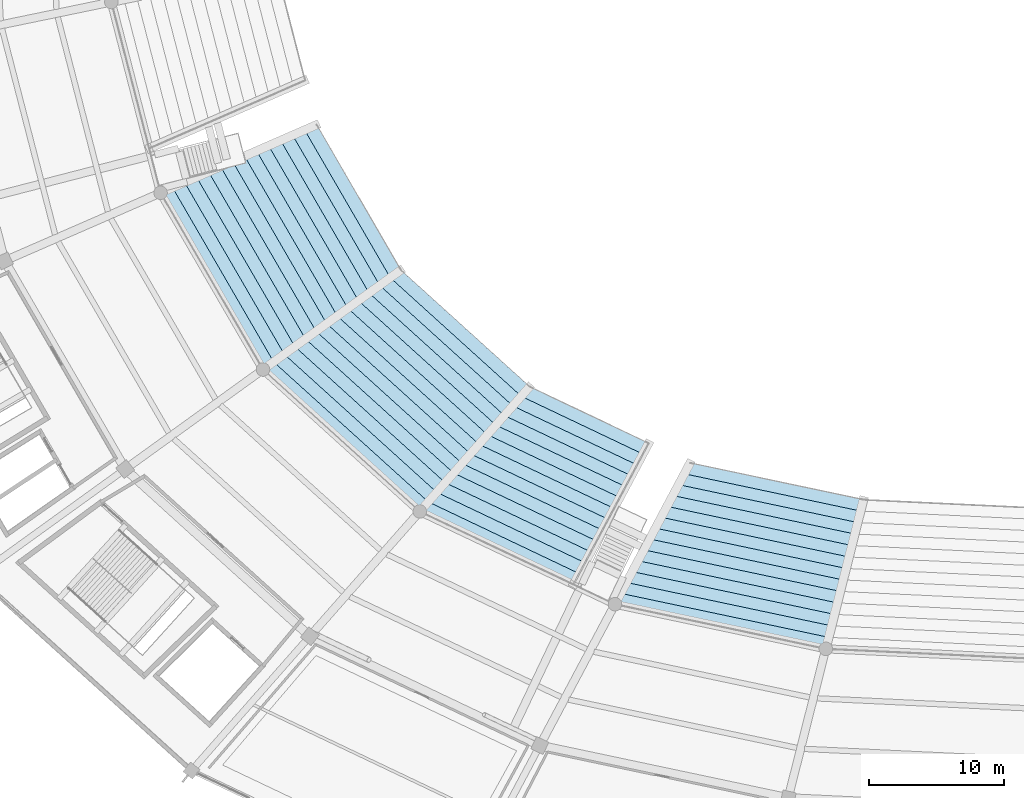
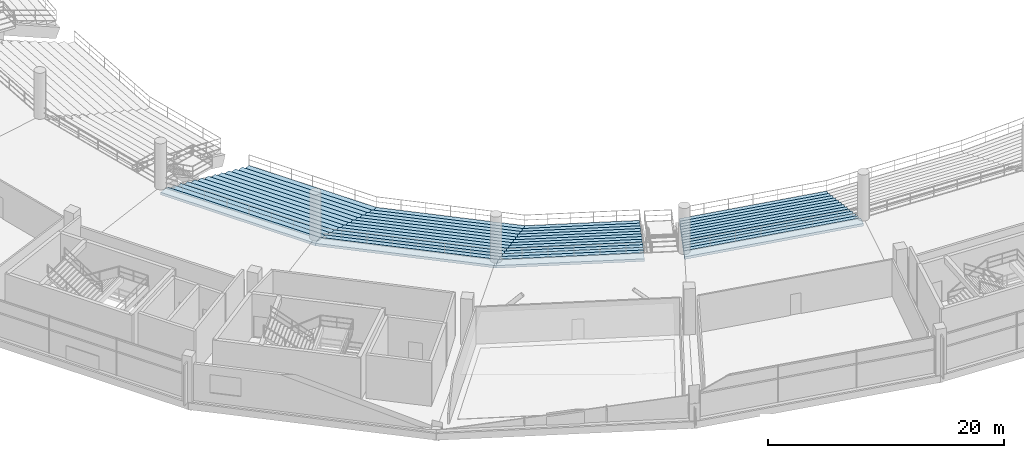
# One storey, part 109 of 156: 4 slabs.
"""IFC4 building model written with IfcOpenShell, lengths in metres."""

from ifc_helpers import new_model, si_unit, direction, frame, origin, place, context, subcontext, project, spatial, polygons, material, layer, layer_set, type_object, element, save


model = new_model("IFC4")

# Units and contexts
model_context = context("Model", 3, precision=1e-05, world=origin(), true_north=direction((0.0, 1.0)))
body_context = subcontext(model_context, "Body", "Model", "MODEL_VIEW")
ifc_project = project(units=[si_unit("LENGTHUNIT", "METRE"), si_unit("AREAUNIT", "SQUARE_METRE"), si_unit("VOLUMEUNIT", "CUBIC_METRE"), si_unit("PLANEANGLEUNIT", "RADIAN"), si_unit("MASSUNIT", "GRAM", prefix="KILO")], contexts=[model_context])

# Site, building, storey
site_placement = place(None, origin())
site = spatial("IfcSite", under=ifc_project, at=site_placement, CompositionType="ELEMENT")
building_placement = place(site_placement, origin())
building = spatial("IfcBuilding", under=site, at=building_placement, Name="Kazemori Nagisa Stadium", CompositionType="ELEMENT")
storey_placement = place(building_placement, frame((0.0, 0.0, 5.780029296875)))
storey = spatial("IfcBuildingStorey", under=building, at=storey_placement, Name="L01", CompositionType="ELEMENT", Elevation=5.780029296875)

# Slabs
ifc_material = material(Name="Concrete C36/45 (Fc36)", Category="concrete")
ifc_layer_1 = layer(ifc_material, 4.93994140625, Name="Concrete C36/45 (Fc36)", Category="concrete")
ifc_layer_set_1 = layer_set([ifc_layer_1], Name="Concrete C36/45 (Fc36)")
slab_type_1 = type_object("IfcSlabType", Name="SeatingTier_ST-LOW-13", PredefinedType="USERDEFINED", material=ifc_layer_set_1)
slab_1_placement = place(storey_placement, frame((0.0, 0.0, -5.780029296875)))
element("IfcSlab", 1, at=slab_1_placement, inside=storey, type_object=slab_type_1, Name="Stand lower tier bay 17", ObjectType="SEATING TIER", PredefinedType="USERDEFINED", context=body_context, shape_type="Tessellation", body=[
    polygons([(75.90283203125, 67.99951171875, 0.239990234375), (75.90283203125, 67.99951171875, 0.860107421875), (75.117919921875, 67.432861328125, 0.860107421875), (75.117919921875, 67.432861328125, 1.22021484375), (74.3330078125, 66.8662109375, 1.22021484375), (74.3330078125, 66.8662109375, 1.580322265625), (73.548095703125, 66.299560546875, 1.580322265625), (73.548095703125, 66.299560546875, 1.9404296875), (72.762939453125, 65.732666015625, 1.9404296875), (72.762939453125, 65.732666015625, 2.300537109375), (71.97802734375, 65.166015625, 2.300537109375), (71.97802734375, 65.166015625, 2.66064453125), (71.193115234375, 64.599365234375, 2.66064453125), (71.193115234375, 64.599365234375, 3.020751953125), (70.408203125, 64.03271484375, 3.020751953125), (70.408203125, 64.03271484375, 3.380859375), (69.623291015625, 63.466064453125, 3.380859375), (69.623291015625, 63.466064453125, 3.740966796875), (68.83837890625, 62.8994140625, 3.740966796875), (68.83837890625, 62.8994140625, 4.10107421875), (68.05322265625, 62.33251953125, 4.10107421875), (68.05322265625, 62.33251953125, 4.461181640625), (67.268310546875, 61.765869140625, 4.461181640625), (67.268310546875, 61.765869140625, 4.8212890625), (66.4833984375, 61.19921875, 4.8212890625), (66.4833984375, 61.19921875, 5.181396484375), (65.698486328125, 60.632568359375, 5.181396484375), (65.698486328125, 60.632568359375, 4.92138671875), (66.4833984375, 61.19921875, 4.561279296875), (67.268310546875, 61.765869140625, 4.201171875), (68.05322265625, 62.33251953125, 3.841064453125), (68.83837890625, 62.8994140625, 3.48095703125), (69.623291015625, 63.466064453125, 3.120849609375), (70.408203125, 64.03271484375, 2.7607421875), (71.193115234375, 64.599365234375, 2.400634765625), (71.97802734375, 65.166015625, 2.04052734375), (72.762939453125, 65.732666015625, 1.680419921875), (73.548095703125, 66.299560546875, 1.3203125), (74.3330078125, 66.8662109375, 0.960205078125), (75.117919921875, 67.432861328125, 0.60009765625), (69.6689453125, 78.750244140625, 0.239990234375), (69.6689453125, 78.750244140625, 0.860107421875), (68.780029296875, 78.36279296875, 0.860107421875), (68.780029296875, 78.36279296875, 1.22021484375), (67.891357421875, 77.975341796875, 1.22021484375), (67.891357421875, 77.975341796875, 1.580322265625), (67.00244140625, 77.587890625, 1.580322265625), (67.00244140625, 77.587890625, 1.9404296875), (66.113525390625, 77.2001953125, 1.9404296875), (66.113525390625, 77.2001953125, 2.300537109375), (65.224853515625, 76.812744140625, 2.300537109375), (65.224853515625, 76.812744140625, 2.66064453125), (64.3359375, 76.42529296875, 2.66064453125), (64.3359375, 76.42529296875, 3.020751953125), (63.447021484375, 76.037841796875, 3.020751953125), (63.447021484375, 76.037841796875, 3.380859375), (62.55810546875, 75.650390625, 3.380859375), (62.55810546875, 75.650390625, 3.740966796875), (61.66943359375, 75.262939453125, 3.740966796875), (61.66943359375, 75.262939453125, 4.10107421875), (60.780517578125, 74.875244140625, 4.10107421875), (60.780517578125, 74.875244140625, 4.461181640625), (59.8916015625, 74.48779296875, 4.461181640625), (59.8916015625, 74.48779296875, 4.8212890625), (59.0029296875, 74.100341796875, 4.8212890625), (59.0029296875, 74.100341796875, 5.181396484375), (58.114013671875, 73.712890625, 5.181396484375), (58.114013671875, 73.712890625, 4.92138671875), (59.0029296875, 74.100341796875, 4.561279296875), (59.8916015625, 74.48779296875, 4.201171875), (60.780517578125, 74.875244140625, 3.841064453125), (61.66943359375, 75.262939453125, 3.48095703125), (62.55810546875, 75.650390625, 3.120849609375), (63.447021484375, 76.037841796875, 2.7607421875), (64.3359375, 76.42529296875, 2.400634765625), (65.224853515625, 76.812744140625, 2.04052734375), (66.113525390625, 77.2001953125, 1.680419921875), (67.00244140625, 77.587890625, 1.3203125), (67.891357421875, 77.975341796875, 0.960205078125), (68.780029296875, 78.36279296875, 0.60009765625)], [[[1, 41, 42]], [[1, 42, 2]], [[2, 42, 43]], [[2, 43, 3]], [[3, 43, 44]], [[3, 44, 4]], [[4, 44, 45]], [[4, 45, 5]], [[5, 45, 46]], [[5, 46, 6]], [[6, 46, 47]], [[6, 47, 7]], [[7, 47, 48]], [[7, 48, 8]], [[8, 48, 49]], [[8, 49, 9]], [[9, 49, 50]], [[9, 50, 10]], [[10, 50, 51]], [[10, 51, 11]], [[11, 51, 52]], [[11, 52, 12]], [[12, 52, 53]], [[12, 53, 13]], [[13, 53, 54]], [[13, 54, 14]], [[14, 54, 55]], [[14, 55, 15]], [[15, 55, 56]], [[15, 56, 16]], [[16, 56, 57]], [[16, 57, 17]], [[17, 57, 58]], [[17, 58, 18]], [[18, 58, 59]], [[18, 59, 19]], [[19, 59, 60]], [[19, 60, 20]], [[20, 60, 61]], [[20, 61, 21]], [[21, 61, 62]], [[21, 62, 22]], [[22, 62, 63]], [[22, 63, 23]], [[23, 63, 64]], [[23, 64, 24]], [[24, 64, 65]], [[24, 65, 25]], [[25, 65, 66]], [[25, 66, 26]], [[26, 66, 67]], [[26, 67, 27]], [[27, 67, 68]], [[27, 68, 28]], [[28, 68, 29]], [[29, 68, 69]], [[29, 69, 30]], [[30, 69, 70]], [[30, 70, 31]], [[31, 70, 71]], [[31, 71, 32]], [[32, 71, 72]], [[32, 72, 33]], [[33, 72, 73]], [[33, 73, 34]], [[34, 73, 74]], [[34, 74, 35]], [[35, 74, 75]], [[35, 75, 36]], [[36, 75, 76]], [[36, 76, 37]], [[37, 76, 77]], [[37, 77, 38]], [[38, 77, 78]], [[38, 78, 39]], [[39, 78, 79]], [[39, 79, 40]], [[40, 79, 80]], [[40, 80, 1]], [[1, 80, 41]], [[1, 2, 3]], [[43, 42, 41]], [[1, 3, 40]], [[80, 43, 41]], [[40, 3, 39]], [[79, 43, 80]], [[39, 3, 5]], [[45, 43, 79]], [[3, 4, 5]], [[45, 44, 43]], [[39, 5, 38]], [[78, 45, 79]], [[38, 5, 7]], [[47, 45, 78]], [[5, 6, 7]], [[47, 46, 45]], [[38, 7, 37]], [[77, 47, 78]], [[37, 7, 9]], [[49, 47, 77]], [[7, 8, 9]], [[49, 48, 47]], [[37, 9, 36]], [[76, 49, 77]], [[36, 9, 11]], [[51, 49, 76]], [[9, 10, 11]], [[51, 50, 49]], [[36, 11, 35]], [[75, 51, 76]], [[35, 11, 13]], [[53, 51, 75]], [[11, 12, 13]], [[53, 52, 51]], [[35, 13, 34]], [[74, 53, 75]], [[34, 13, 15]], [[55, 53, 74]], [[13, 14, 15]], [[55, 54, 53]], [[34, 15, 33]], [[73, 55, 74]], [[33, 15, 17]], [[57, 55, 73]], [[15, 16, 17]], [[57, 56, 55]], [[33, 17, 32]], [[72, 57, 73]], [[32, 17, 19]], [[59, 57, 72]], [[17, 18, 19]], [[59, 58, 57]], [[32, 19, 31]], [[71, 59, 72]], [[31, 19, 21]], [[61, 59, 71]], [[19, 20, 21]], [[61, 60, 59]], [[31, 21, 30]], [[70, 61, 71]], [[30, 21, 23]], [[63, 61, 70]], [[21, 22, 23]], [[63, 62, 61]], [[30, 23, 29]], [[69, 63, 70]], [[29, 23, 25]], [[65, 63, 69]], [[23, 24, 25]], [[65, 64, 63]], [[29, 25, 28]], [[68, 65, 69]], [[28, 25, 27]], [[67, 65, 68]], [[25, 26, 27]], [[67, 66, 65]]], closed=True),
])
slab_2_placement = place(storey_placement, frame((0.0, 0.0, -5.780029296875)))
element("IfcSlab", 2, at=slab_2_placement, inside=storey, type_object=slab_type_1, Name="Stand lower tier bay 18", ObjectType="SEATING TIER", PredefinedType="USERDEFINED", context=body_context, shape_type="Tessellation", body=[
    polygons([(85.441162109375, 59.364501953125, 0.239990234375), (85.441162109375, 59.364501953125, 0.860107421875), (84.815185546875, 58.65380859375, 0.860107421875), (84.815185546875, 58.65380859375, 1.22021484375), (84.189208984375, 57.943359375, 1.22021484375), (84.189208984375, 57.943359375, 1.580322265625), (83.563232421875, 57.232666015625, 1.580322265625), (83.563232421875, 57.232666015625, 1.9404296875), (82.937255859375, 56.522216796875, 1.9404296875), (82.937255859375, 56.522216796875, 2.300537109375), (82.311279296875, 55.8115234375, 2.300537109375), (82.311279296875, 55.8115234375, 2.66064453125), (81.685302734375, 55.10107421875, 2.66064453125), (81.685302734375, 55.10107421875, 3.020751953125), (81.059326171875, 54.390380859375, 3.020751953125), (81.059326171875, 54.390380859375, 3.380859375), (80.433349609375, 53.679931640625, 3.380859375), (80.433349609375, 53.679931640625, 3.740966796875), (79.807373046875, 52.96923828125, 3.740966796875), (79.807373046875, 52.96923828125, 4.10107421875), (79.181396484375, 52.2587890625, 4.10107421875), (79.181396484375, 52.2587890625, 4.461181640625), (78.555419921875, 51.548095703125, 4.461181640625), (78.555419921875, 51.548095703125, 4.8212890625), (77.929443359375, 50.837646484375, 4.8212890625), (77.929443359375, 50.837646484375, 5.181396484375), (77.303466796875, 50.126953125, 5.181396484375), (77.303466796875, 50.126953125, 4.92138671875), (77.929443359375, 50.837646484375, 4.561279296875), (78.555419921875, 51.548095703125, 4.201171875), (79.181396484375, 52.2587890625, 3.841064453125), (79.807373046875, 52.96923828125, 3.48095703125), (80.433349609375, 53.679931640625, 3.120849609375), (81.059326171875, 54.390380859375, 2.7607421875), (81.685302734375, 55.10107421875, 2.400634765625), (82.311279296875, 55.8115234375, 2.04052734375), (82.937255859375, 56.522216796875, 1.680419921875), (83.563232421875, 57.232666015625, 1.3203125), (84.189208984375, 57.943359375, 0.960205078125), (84.815185546875, 58.65380859375, 0.60009765625), (75.90283203125, 67.99951171875, 0.239990234375), (75.90283203125, 67.99951171875, 0.860107421875), (75.117919921875, 67.432861328125, 0.860107421875), (75.117919921875, 67.432861328125, 1.22021484375), (74.3330078125, 66.8662109375, 1.22021484375), (74.3330078125, 66.8662109375, 1.580322265625), (73.548095703125, 66.299560546875, 1.580322265625), (73.548095703125, 66.299560546875, 1.9404296875), (72.762939453125, 65.732666015625, 1.9404296875), (72.762939453125, 65.732666015625, 2.300537109375), (71.97802734375, 65.166015625, 2.300537109375), (71.97802734375, 65.166015625, 2.66064453125), (71.193115234375, 64.599365234375, 2.66064453125), (71.193115234375, 64.599365234375, 3.020751953125), (70.408203125, 64.03271484375, 3.020751953125), (70.408203125, 64.03271484375, 3.380859375), (69.623291015625, 63.466064453125, 3.380859375), (69.623291015625, 63.466064453125, 3.740966796875), (68.83837890625, 62.8994140625, 3.740966796875), (68.83837890625, 62.8994140625, 4.10107421875), (68.05322265625, 62.33251953125, 4.10107421875), (68.05322265625, 62.33251953125, 4.461181640625), (67.268310546875, 61.765869140625, 4.461181640625), (67.268310546875, 61.765869140625, 4.8212890625), (66.4833984375, 61.19921875, 4.8212890625), (66.4833984375, 61.19921875, 5.181396484375), (65.698486328125, 60.632568359375, 5.181396484375), (65.698486328125, 60.632568359375, 4.92138671875), (66.4833984375, 61.19921875, 4.561279296875), (67.268310546875, 61.765869140625, 4.201171875), (68.05322265625, 62.33251953125, 3.841064453125), (68.83837890625, 62.8994140625, 3.48095703125), (69.623291015625, 63.466064453125, 3.120849609375), (70.408203125, 64.03271484375, 2.7607421875), (71.193115234375, 64.599365234375, 2.400634765625), (71.97802734375, 65.166015625, 2.04052734375), (72.762939453125, 65.732666015625, 1.680419921875), (73.548095703125, 66.299560546875, 1.3203125), (74.3330078125, 66.8662109375, 0.960205078125), (75.117919921875, 67.432861328125, 0.60009765625)], [[[1, 41, 42]], [[1, 42, 2]], [[2, 42, 43]], [[2, 43, 3]], [[3, 43, 44]], [[3, 44, 4]], [[4, 44, 45]], [[4, 45, 5]], [[5, 45, 46]], [[5, 46, 6]], [[6, 46, 47]], [[6, 47, 7]], [[7, 47, 48]], [[7, 48, 8]], [[8, 48, 49]], [[8, 49, 9]], [[9, 49, 50]], [[9, 50, 10]], [[10, 50, 51]], [[10, 51, 11]], [[11, 51, 52]], [[11, 52, 12]], [[12, 52, 53]], [[12, 53, 13]], [[13, 53, 54]], [[13, 54, 14]], [[14, 54, 55]], [[14, 55, 15]], [[15, 55, 56]], [[15, 56, 16]], [[16, 56, 57]], [[16, 57, 17]], [[17, 57, 58]], [[17, 58, 18]], [[18, 58, 59]], [[18, 59, 19]], [[19, 59, 60]], [[19, 60, 20]], [[20, 60, 61]], [[20, 61, 21]], [[21, 61, 62]], [[21, 62, 22]], [[22, 62, 63]], [[22, 63, 23]], [[23, 63, 64]], [[23, 64, 24]], [[24, 64, 65]], [[24, 65, 25]], [[25, 65, 66]], [[25, 66, 26]], [[26, 66, 67]], [[26, 67, 27]], [[27, 67, 68]], [[27, 68, 28]], [[28, 68, 29]], [[29, 68, 69]], [[29, 69, 30]], [[30, 69, 70]], [[30, 70, 31]], [[31, 70, 71]], [[31, 71, 32]], [[32, 71, 72]], [[32, 72, 33]], [[33, 72, 73]], [[33, 73, 34]], [[34, 73, 74]], [[34, 74, 35]], [[35, 74, 75]], [[35, 75, 36]], [[36, 75, 76]], [[36, 76, 37]], [[37, 76, 77]], [[37, 77, 38]], [[38, 77, 78]], [[38, 78, 39]], [[39, 78, 79]], [[39, 79, 40]], [[40, 79, 80]], [[40, 80, 1]], [[1, 80, 41]], [[1, 2, 3]], [[43, 42, 41]], [[1, 3, 40]], [[80, 43, 41]], [[40, 3, 39]], [[79, 43, 80]], [[39, 3, 5]], [[45, 43, 79]], [[3, 4, 5]], [[45, 44, 43]], [[39, 5, 38]], [[78, 45, 79]], [[38, 5, 7]], [[47, 45, 78]], [[5, 6, 7]], [[47, 46, 45]], [[38, 7, 37]], [[77, 47, 78]], [[37, 7, 9]], [[49, 47, 77]], [[7, 8, 9]], [[49, 48, 47]], [[37, 9, 36]], [[76, 49, 77]], [[36, 9, 11]], [[51, 49, 76]], [[9, 10, 11]], [[51, 50, 49]], [[36, 11, 35]], [[75, 51, 76]], [[35, 11, 13]], [[53, 51, 75]], [[11, 12, 13]], [[53, 52, 51]], [[35, 13, 34]], [[74, 53, 75]], [[34, 13, 15]], [[55, 53, 74]], [[13, 14, 15]], [[55, 54, 53]], [[34, 15, 33]], [[73, 55, 74]], [[33, 15, 17]], [[57, 55, 73]], [[15, 16, 17]], [[57, 56, 55]], [[33, 17, 32]], [[72, 57, 73]], [[32, 17, 19]], [[59, 57, 72]], [[17, 18, 19]], [[59, 58, 57]], [[32, 19, 31]], [[71, 59, 72]], [[31, 19, 21]], [[61, 59, 71]], [[19, 20, 21]], [[61, 60, 59]], [[31, 21, 30]], [[70, 61, 71]], [[30, 21, 23]], [[63, 61, 70]], [[21, 22, 23]], [[63, 62, 61]], [[30, 23, 29]], [[69, 63, 70]], [[29, 23, 25]], [[65, 63, 69]], [[23, 24, 25]], [[65, 64, 63]], [[29, 25, 28]], [[68, 65, 69]], [[28, 25, 27]], [[67, 65, 68]], [[25, 26, 27]], [[67, 66, 65]]], closed=True),
])
slab_3_placement = place(storey_placement, frame((0.0, 0.0, -5.780029296875)))
element("IfcSlab", 3, at=slab_3_placement, inside=storey, type_object=slab_type_1, Name="Stand lower tier bay 20", ObjectType="SEATING TIER", PredefinedType="USERDEFINED", context=body_context, shape_type="Tessellation", body=[
    polygons([(110.143310546875, 51.0078125, 0.239990234375), (110.143310546875, 51.0078125, 0.860107421875), (109.928955078125, 50.157958984375, 0.860107421875), (109.928955078125, 50.157958984375, 1.22021484375), (109.71484375, 49.30810546875, 1.22021484375), (109.71484375, 49.30810546875, 1.580322265625), (109.50048828125, 48.458251953125, 1.580322265625), (109.50048828125, 48.458251953125, 1.9404296875), (109.286376953125, 47.6083984375, 1.9404296875), (109.286376953125, 47.6083984375, 2.300537109375), (109.072021484375, 46.758544921875, 2.300537109375), (109.072021484375, 46.758544921875, 2.66064453125), (108.857666015625, 45.90869140625, 2.66064453125), (108.857666015625, 45.90869140625, 3.020751953125), (108.6435546875, 45.058837890625, 3.020751953125), (108.6435546875, 45.058837890625, 3.380859375), (108.42919921875, 44.208984375, 3.380859375), (108.42919921875, 44.208984375, 3.740966796875), (108.21484375, 43.359130859375, 3.740966796875), (108.21484375, 43.359130859375, 4.10107421875), (108.000732421875, 42.50927734375, 4.10107421875), (108.000732421875, 42.50927734375, 4.461181640625), (107.786376953125, 41.659423828125, 4.461181640625), (107.786376953125, 41.659423828125, 4.8212890625), (107.572265625, 40.8095703125, 4.8212890625), (107.572265625, 40.8095703125, 5.181396484375), (107.35791015625, 39.959716796875, 5.181396484375), (107.35791015625, 39.959716796875, 4.92138671875), (107.572265625, 40.8095703125, 4.561279296875), (107.786376953125, 41.659423828125, 4.201171875), (108.000732421875, 42.50927734375, 3.841064453125), (108.21484375, 43.359130859375, 3.48095703125), (108.42919921875, 44.208984375, 3.120849609375), (108.6435546875, 45.058837890625, 2.7607421875), (108.857666015625, 45.90869140625, 2.400634765625), (109.072021484375, 46.758544921875, 2.04052734375), (109.286376953125, 47.6083984375, 1.680419921875), (109.50048828125, 48.458251953125, 1.3203125), (109.71484375, 49.30810546875, 0.960205078125), (109.928955078125, 50.157958984375, 0.60009765625), (97.317138671875, 53.721435546875, 0.239990234375), (97.317138671875, 53.721435546875, 0.860107421875), (96.88916015625, 52.916748046875, 0.860107421875), (96.88916015625, 52.916748046875, 1.22021484375), (96.4609375, 52.112060546875, 1.22021484375), (96.4609375, 52.112060546875, 1.580322265625), (96.032958984375, 51.307373046875, 1.580322265625), (96.032958984375, 51.307373046875, 1.9404296875), (95.60498046875, 50.5029296875, 1.9404296875), (95.60498046875, 50.5029296875, 2.300537109375), (95.1767578125, 49.6982421875, 2.300537109375), (95.1767578125, 49.6982421875, 2.66064453125), (94.748779296875, 48.8935546875, 2.66064453125), (94.748779296875, 48.8935546875, 3.020751953125), (94.32080078125, 48.0888671875, 3.020751953125), (94.32080078125, 48.0888671875, 3.380859375), (93.892822265625, 47.2841796875, 3.380859375), (93.892822265625, 47.2841796875, 3.740966796875), (93.464599609375, 46.4794921875, 3.740966796875), (93.464599609375, 46.4794921875, 4.10107421875), (93.03662109375, 45.675048828125, 4.10107421875), (93.03662109375, 45.675048828125, 4.461181640625), (92.608642578125, 44.870361328125, 4.461181640625), (92.608642578125, 44.870361328125, 4.8212890625), (92.180419921875, 44.065673828125, 4.8212890625), (92.180419921875, 44.065673828125, 5.181396484375), (91.75244140625, 43.260986328125, 5.181396484375), (91.75244140625, 43.260986328125, 4.92138671875), (92.180419921875, 44.065673828125, 4.561279296875), (92.608642578125, 44.870361328125, 4.201171875), (93.03662109375, 45.675048828125, 3.841064453125), (93.464599609375, 46.4794921875, 3.48095703125), (93.892822265625, 47.2841796875, 3.120849609375), (94.32080078125, 48.0888671875, 2.7607421875), (94.748779296875, 48.8935546875, 2.400634765625), (95.1767578125, 49.6982421875, 2.04052734375), (95.60498046875, 50.5029296875, 1.680419921875), (96.032958984375, 51.307373046875, 1.3203125), (96.4609375, 52.112060546875, 0.960205078125), (96.88916015625, 52.916748046875, 0.60009765625)], [[[1, 41, 42]], [[1, 42, 2]], [[2, 42, 43]], [[2, 43, 3]], [[3, 43, 44]], [[3, 44, 4]], [[4, 44, 45]], [[4, 45, 5]], [[5, 45, 46]], [[5, 46, 6]], [[6, 46, 47]], [[6, 47, 7]], [[7, 47, 48]], [[7, 48, 8]], [[8, 48, 49]], [[8, 49, 9]], [[9, 49, 50]], [[9, 50, 10]], [[10, 50, 51]], [[10, 51, 11]], [[11, 51, 52]], [[11, 52, 12]], [[12, 52, 53]], [[12, 53, 13]], [[13, 53, 54]], [[13, 54, 14]], [[14, 54, 55]], [[14, 55, 15]], [[15, 55, 56]], [[15, 56, 16]], [[16, 56, 57]], [[16, 57, 17]], [[17, 57, 58]], [[17, 58, 18]], [[18, 58, 59]], [[18, 59, 19]], [[19, 59, 60]], [[19, 60, 20]], [[20, 60, 61]], [[20, 61, 21]], [[21, 61, 62]], [[21, 62, 22]], [[22, 62, 63]], [[22, 63, 23]], [[23, 63, 64]], [[23, 64, 24]], [[24, 64, 65]], [[24, 65, 25]], [[25, 65, 66]], [[25, 66, 26]], [[26, 66, 67]], [[26, 67, 27]], [[27, 67, 68]], [[27, 68, 28]], [[28, 68, 29]], [[29, 68, 69]], [[29, 69, 30]], [[30, 69, 70]], [[30, 70, 31]], [[31, 70, 71]], [[31, 71, 32]], [[32, 71, 72]], [[32, 72, 33]], [[33, 72, 73]], [[33, 73, 34]], [[34, 73, 74]], [[34, 74, 35]], [[35, 74, 75]], [[35, 75, 36]], [[36, 75, 76]], [[36, 76, 37]], [[37, 76, 77]], [[37, 77, 38]], [[38, 77, 78]], [[38, 78, 39]], [[39, 78, 79]], [[39, 79, 40]], [[40, 79, 80]], [[40, 80, 1]], [[1, 80, 41]], [[1, 2, 3]], [[43, 42, 41]], [[1, 3, 40]], [[80, 43, 41]], [[40, 3, 39]], [[79, 43, 80]], [[39, 3, 5]], [[45, 43, 79]], [[3, 4, 5]], [[45, 44, 43]], [[39, 5, 38]], [[78, 45, 79]], [[38, 5, 7]], [[47, 45, 78]], [[5, 6, 7]], [[47, 46, 45]], [[38, 7, 37]], [[77, 47, 78]], [[37, 7, 9]], [[49, 47, 77]], [[7, 8, 9]], [[49, 48, 47]], [[37, 9, 36]], [[76, 49, 77]], [[36, 9, 11]], [[51, 49, 76]], [[9, 10, 11]], [[51, 50, 49]], [[36, 11, 35]], [[75, 51, 76]], [[35, 11, 13]], [[53, 51, 75]], [[11, 12, 13]], [[53, 52, 51]], [[35, 13, 34]], [[74, 53, 75]], [[34, 13, 15]], [[55, 53, 74]], [[13, 14, 15]], [[55, 54, 53]], [[34, 15, 33]], [[73, 55, 74]], [[33, 15, 17]], [[57, 55, 73]], [[15, 16, 17]], [[57, 56, 55]], [[33, 17, 32]], [[72, 57, 73]], [[32, 17, 19]], [[59, 57, 72]], [[17, 18, 19]], [[59, 58, 57]], [[32, 19, 31]], [[71, 59, 72]], [[31, 19, 21]], [[61, 59, 71]], [[19, 20, 21]], [[61, 60, 59]], [[31, 21, 30]], [[70, 61, 71]], [[30, 21, 23]], [[63, 61, 70]], [[21, 22, 23]], [[63, 62, 61]], [[30, 23, 29]], [[69, 63, 70]], [[29, 23, 25]], [[65, 63, 69]], [[23, 24, 25]], [[65, 64, 63]], [[29, 25, 28]], [[68, 65, 69]], [[28, 25, 27]], [[67, 65, 68]], [[25, 26, 27]], [[67, 66, 65]]], closed=True),
])
ifc_layer_2 = layer(ifc_material, 4.93994140625, Name="Concrete C36/45 (Fc36)", Category="concrete")
ifc_layer_set_2 = layer_set([ifc_layer_2], Name="Concrete C36/45 (Fc36)")
slab_type_2 = type_object("IfcSlabType", Name="SeatingTier_ST-LOW-13V", PredefinedType="USERDEFINED", material=ifc_layer_set_2)
slab_4_placement = place(storey_placement, frame((0.0, 0.0, -5.780029296875)))
element("IfcSlab", 4, at=slab_4_placement, inside=storey, type_object=slab_type_2, Name="Stand lower tier bay 19", ObjectType="SEATING TIER", PredefinedType="USERDEFINED", context=body_context, shape_type="Tessellation", body=[
    polygons([(94.246337890625, 55.1806640625, 0.239990234375), (94.246337890625, 55.1806640625, 0.860107421875), (93.818359375, 54.3759765625, 0.860107421875), (93.818359375, 54.3759765625, 1.22021484375), (93.39013671875, 53.5712890625, 1.22021484375), (93.39013671875, 53.5712890625, 1.580322265625), (92.962158203125, 52.7666015625, 1.580322265625), (92.962158203125, 52.7666015625, 1.9404296875), (92.5341796875, 51.962158203125, 1.9404296875), (92.5341796875, 51.962158203125, 2.300537109375), (92.10595703125, 51.157470703125, 2.300537109375), (92.10595703125, 51.157470703125, 2.66064453125), (91.677978515625, 50.352783203125, 2.66064453125), (91.677978515625, 50.352783203125, 3.020751953125), (91.25, 49.548095703125, 3.020751953125), (91.25, 49.548095703125, 3.380859375), (90.822021484375, 48.743408203125, 3.380859375), (90.822021484375, 48.743408203125, 3.740966796875), (90.393798828125, 47.938720703125, 3.740966796875), (90.393798828125, 47.938720703125, 4.10107421875), (89.9658203125, 47.13427734375, 4.10107421875), (89.9658203125, 47.13427734375, 4.461181640625), (89.537841796875, 46.32958984375, 4.461181640625), (89.537841796875, 46.32958984375, 4.8212890625), (89.109619140625, 45.52490234375, 4.8212890625), (89.109619140625, 45.52490234375, 5.181396484375), (88.681640625, 44.72021484375, 5.181396484375), (88.681640625, 44.72021484375, 4.92138671875), (89.109619140625, 45.52490234375, 4.561279296875), (89.537841796875, 46.32958984375, 4.201171875), (89.9658203125, 47.13427734375, 3.841064453125), (90.393798828125, 47.938720703125, 3.48095703125), (90.822021484375, 48.743408203125, 3.120849609375), (91.25, 49.548095703125, 2.7607421875), (91.677978515625, 50.352783203125, 2.400634765625), (92.10595703125, 51.157470703125, 2.04052734375), (92.5341796875, 51.962158203125, 1.680419921875), (92.962158203125, 52.7666015625, 1.3203125), (93.39013671875, 53.5712890625, 0.960205078125), (93.818359375, 54.3759765625, 0.60009765625), (85.441162109375, 59.364501953125, 0.239990234375), (85.441162109375, 59.364501953125, 0.860107421875), (84.815185546875, 58.65380859375, 0.860107421875), (84.815185546875, 58.65380859375, 1.22021484375), (84.189208984375, 57.943359375, 1.22021484375), (84.189208984375, 57.943359375, 1.580322265625), (83.563232421875, 57.232666015625, 1.580322265625), (83.563232421875, 57.232666015625, 1.9404296875), (82.937255859375, 56.522216796875, 1.9404296875), (82.937255859375, 56.522216796875, 2.300537109375), (82.311279296875, 55.8115234375, 2.300537109375), (82.311279296875, 55.8115234375, 2.66064453125), (81.685302734375, 55.10107421875, 2.66064453125), (81.685302734375, 55.10107421875, 3.020751953125), (81.059326171875, 54.390380859375, 3.020751953125), (81.059326171875, 54.390380859375, 3.380859375), (80.433349609375, 53.679931640625, 3.380859375), (80.433349609375, 53.679931640625, 3.740966796875), (79.807373046875, 52.96923828125, 3.740966796875), (79.807373046875, 52.96923828125, 4.10107421875), (79.181396484375, 52.2587890625, 4.10107421875), (79.181396484375, 52.2587890625, 4.461181640625), (78.555419921875, 51.548095703125, 4.461181640625), (78.555419921875, 51.548095703125, 4.8212890625), (77.929443359375, 50.837646484375, 4.8212890625), (77.929443359375, 50.837646484375, 5.181396484375), (77.303466796875, 50.126953125, 5.181396484375), (77.303466796875, 50.126953125, 4.92138671875), (77.929443359375, 50.837646484375, 4.561279296875), (78.555419921875, 51.548095703125, 4.201171875), (79.181396484375, 52.2587890625, 3.841064453125), (79.807373046875, 52.96923828125, 3.48095703125), (80.433349609375, 53.679931640625, 3.120849609375), (81.059326171875, 54.390380859375, 2.7607421875), (81.685302734375, 55.10107421875, 2.400634765625), (82.311279296875, 55.8115234375, 2.04052734375), (82.937255859375, 56.522216796875, 1.680419921875), (83.563232421875, 57.232666015625, 1.3203125), (84.189208984375, 57.943359375, 0.960205078125), (84.815185546875, 58.65380859375, 0.60009765625)], [[[1, 41, 42]], [[1, 42, 2]], [[2, 42, 43]], [[2, 43, 3]], [[3, 43, 44]], [[3, 44, 4]], [[4, 44, 45]], [[4, 45, 5]], [[5, 45, 46]], [[5, 46, 6]], [[6, 46, 47]], [[6, 47, 7]], [[7, 47, 48]], [[7, 48, 8]], [[8, 48, 49]], [[8, 49, 9]], [[9, 49, 50]], [[9, 50, 10]], [[10, 50, 51]], [[10, 51, 11]], [[11, 51, 52]], [[11, 52, 12]], [[12, 52, 53]], [[12, 53, 13]], [[13, 53, 54]], [[13, 54, 14]], [[14, 54, 55]], [[14, 55, 15]], [[15, 55, 56]], [[15, 56, 16]], [[16, 56, 57]], [[16, 57, 17]], [[17, 57, 58]], [[17, 58, 18]], [[18, 58, 59]], [[18, 59, 19]], [[19, 59, 60]], [[19, 60, 20]], [[20, 60, 61]], [[20, 61, 21]], [[21, 61, 62]], [[21, 62, 22]], [[22, 62, 63]], [[22, 63, 23]], [[23, 63, 64]], [[23, 64, 24]], [[24, 64, 65]], [[24, 65, 25]], [[25, 65, 66]], [[25, 66, 26]], [[26, 66, 67]], [[26, 67, 27]], [[27, 67, 68]], [[27, 68, 28]], [[28, 68, 29]], [[29, 68, 69]], [[29, 69, 30]], [[30, 69, 70]], [[30, 70, 31]], [[31, 70, 71]], [[31, 71, 32]], [[32, 71, 72]], [[32, 72, 33]], [[33, 72, 73]], [[33, 73, 34]], [[34, 73, 74]], [[34, 74, 35]], [[35, 74, 75]], [[35, 75, 36]], [[36, 75, 76]], [[36, 76, 37]], [[37, 76, 77]], [[37, 77, 38]], [[38, 77, 78]], [[38, 78, 39]], [[39, 78, 79]], [[39, 79, 40]], [[40, 79, 80]], [[40, 80, 1]], [[1, 80, 41]], [[1, 2, 3]], [[43, 42, 41]], [[1, 3, 40]], [[80, 43, 41]], [[40, 3, 39]], [[79, 43, 80]], [[39, 3, 5]], [[45, 43, 79]], [[3, 4, 5]], [[45, 44, 43]], [[39, 5, 38]], [[78, 45, 79]], [[38, 5, 7]], [[47, 45, 78]], [[5, 6, 7]], [[47, 46, 45]], [[38, 7, 37]], [[77, 47, 78]], [[37, 7, 9]], [[49, 47, 77]], [[7, 8, 9]], [[49, 48, 47]], [[37, 9, 36]], [[76, 49, 77]], [[36, 9, 11]], [[51, 49, 76]], [[9, 10, 11]], [[51, 50, 49]], [[36, 11, 35]], [[75, 51, 76]], [[35, 11, 13]], [[53, 51, 75]], [[11, 12, 13]], [[53, 52, 51]], [[35, 13, 34]], [[74, 53, 75]], [[34, 13, 15]], [[55, 53, 74]], [[13, 14, 15]], [[55, 54, 53]], [[34, 15, 33]], [[73, 55, 74]], [[33, 15, 17]], [[57, 55, 73]], [[15, 16, 17]], [[57, 56, 55]], [[33, 17, 32]], [[72, 57, 73]], [[32, 17, 19]], [[59, 57, 72]], [[17, 18, 19]], [[59, 58, 57]], [[32, 19, 31]], [[71, 59, 72]], [[31, 19, 21]], [[61, 59, 71]], [[19, 20, 21]], [[61, 60, 59]], [[31, 21, 30]], [[70, 61, 71]], [[30, 21, 23]], [[63, 61, 70]], [[21, 22, 23]], [[63, 62, 61]], [[30, 23, 29]], [[69, 63, 70]], [[29, 23, 25]], [[65, 63, 69]], [[23, 24, 25]], [[65, 64, 63]], [[29, 25, 28]], [[68, 65, 69]], [[28, 25, 27]], [[67, 65, 68]], [[25, 26, 27]], [[67, 66, 65]]], closed=True),
])

save(model, "model.ifc")
